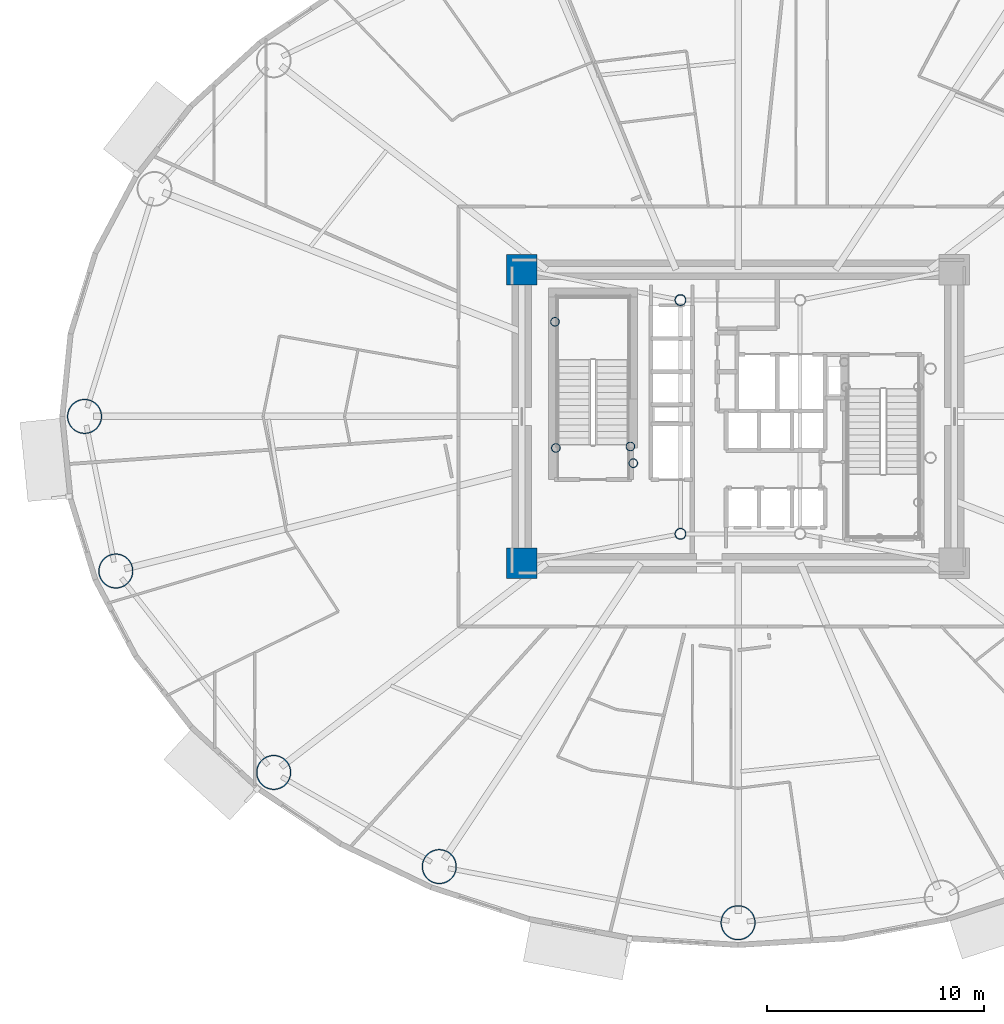
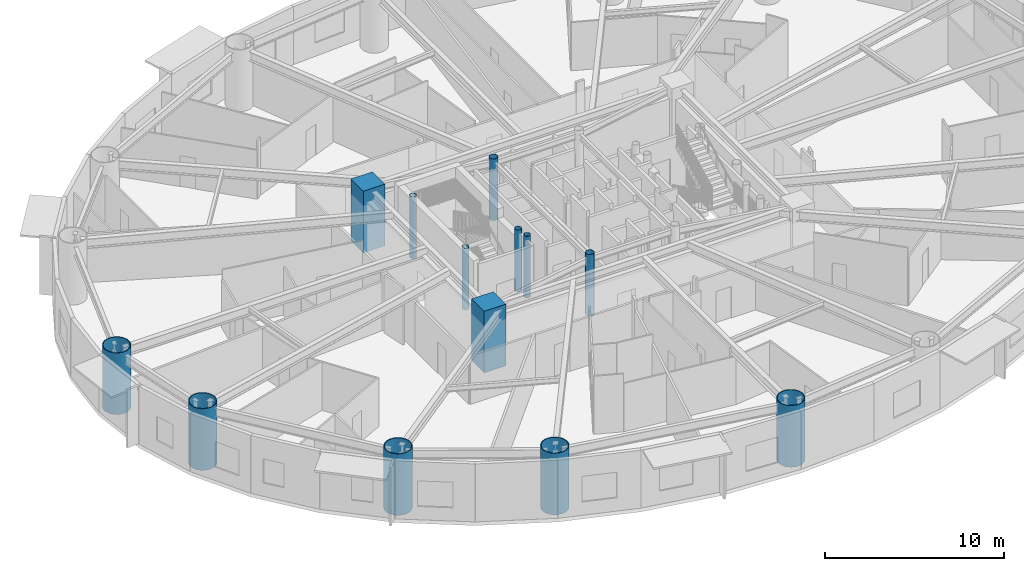
# One storey, part 1 of 20: 13 columns.
"""IFC4 building model written with IfcOpenShell, lengths in metres."""

from ifc_helpers import new_model, si_unit, direction, frame, origin, origin_2d, place, context, subcontext, project, spatial, rectangle, hollow_circle, extrude, material, material_profile, profile_set, type_object, element, save


model = new_model("IFC4")

# Units and contexts
model_context = context("Model", 3, precision=1e-05, world=origin(), true_north=direction((0.0, 1.0)))
body_context = subcontext(model_context, "Body", "Model", "MODEL_VIEW")
ifc_project = project(units=[si_unit("LENGTHUNIT", "METRE"), si_unit("AREAUNIT", "SQUARE_METRE"), si_unit("VOLUMEUNIT", "CUBIC_METRE"), si_unit("PLANEANGLEUNIT", "RADIAN"), si_unit("MASSUNIT", "GRAM", prefix="KILO")], contexts=[model_context])

# Site, building, storey
site_placement = place(None, origin())
site = spatial("IfcSite", under=ifc_project, at=site_placement, CompositionType="ELEMENT")
building_placement = place(site_placement, origin())
building = spatial("IfcBuilding", under=site, at=building_placement, Name="Linh Dai School and Residence Tower", CompositionType="ELEMENT")
storey_placement = place(building_placement, frame((0.0, 0.0, 66.0)))
storey = spatial("IfcBuildingStorey", under=building, at=storey_placement, Name="L15", CompositionType="ELEMENT", Elevation=66.0)

# Columns
ifc_material_1 = material(Name="Concrete B60 (C50/60)", Category="concrete")
ifc_material_profile_1 = material_profile(ifc_material_1, rectangle(XDim=1.39990234375, YDim=1.39990234375, at=origin_2d()), Name="RC 1400x1400")
ifc_profile_set_1 = profile_set([ifc_material_profile_1], Name="Concrete B60 (C50/60)")
column_type_1 = type_object("IfcColumnType", Name="COL-CC1", PredefinedType="COLUMN", material=ifc_profile_set_1)
for number, where, z_axis, x_axis, name in (
    (1, (26.050048828125, 20.25, 0.0), (0.0, 0.0, 1.0), (1.0, 0.0, 0.0), "L15 Core Corner Pier CC1"),
    (2, (26.050048828125, 33.75, 0.0), (0.0, 0.0, 1.0), (1.0, 0.0, 0.0), "L15 Core Corner Pier CC4"),
):
    element("IfcColumn", number, at=place(storey_placement, frame(where, z_axis=z_axis, x_axis=x_axis)), inside=storey, type_object=column_type_1, Name=name, PredefinedType="COLUMN", context=body_context, shape_type="SweptSolid", body=[
        extrude(rectangle(XDim=1.39990234375, YDim=1.39990234375, at=origin_2d()), origin(), (0.0, 0.0, 1.0), 4.199951171875),
    ])
ifc_material_2 = material(Name="Structural Steel S355JR", Category="steel")
ifc_material_profile_2 = material_profile(ifc_material_2, hollow_circle(Radius=0.203125, WallThickness=0.01611328125, at=origin_2d()), Name="CHS 406.4x16")
ifc_profile_set_2 = profile_set([ifc_material_profile_2], Name="Structural Steel S355JR")
column_type_2 = type_object("IfcColumnType", Name="COL-EC", PredefinedType="COLUMN", material=ifc_profile_set_2)
for number, where, z_axis, x_axis, name in (
    (3, (27.580078125, 31.35009765625, 0.0), (0.0, 0.0, 1.0), (1.0, 0.0, 0.0), "L15 Stair Shaft Landing Support Pier ST1NW"),
    (4, (31.050048828125, 25.6201171875, 0.0), (0.0, 0.0, 1.0), (1.0, 0.0, 0.0), "L15 Stair Shaft Landing Support Pier ST1SE"),
    (5, (31.179931640625, 24.85009765625, 0.0), (0.0, 0.0, 1.0), (1.0, 0.0, 0.0), "L15 Stair Shaft Landing Support Pier ST1SM"),
    (6, (27.6201171875, 25.550048828125, 0.0), (0.0, 0.0, 1.0), (1.0, 0.0, 0.0), "L15 Stair Shaft Landing Support Pier ST1SW"),
):
    element("IfcColumn", number, at=place(storey_placement, frame(where, z_axis=z_axis, x_axis=x_axis)), inside=storey, type_object=column_type_2, Name=name, PredefinedType="COLUMN", context=body_context, shape_type="SweptSolid", body=[
        extrude(hollow_circle(Radius=0.203125, WallThickness=0.01611328125, at=origin_2d()), origin(), (0.0, 0.0, 1.0), 4.199951171875),
    ])
ifc_material_profile_3 = material_profile(ifc_material_2, hollow_circle(Radius=0.800048828125, WallThickness=0.044921875, at=origin_2d()), Name="CHS 1600x45")
ifc_profile_set_3 = profile_set([ifc_material_profile_3], Name="Structural Steel S355JR")
column_type_3 = type_object("IfcColumnType", Name="COL-MC2", PredefinedType="COLUMN", material=ifc_profile_set_3)
for number, where, z_axis, x_axis, name in (
    (7, (5.949951171875, 27.0, 0.0), (0.0, 0.0, 1.0), (1.0, 0.0, 0.0), "L15 Perimeter CFT Mega-Column MC09"),
    (8, (7.38916015625, 19.891357421875, 0.0), (0.0, 0.0, 1.0), (1.0, 0.0, 0.0), "L15 Perimeter CFT Mega-Column MC10"),
    (9, (14.647216796875, 10.630859375, 0.0), (0.0, 0.0, 1.0), (1.0, 0.0, 0.0), "L15 Perimeter CFT Mega-Column MC11"),
    (10, (22.26171875, 6.30078125, 0.0), (0.0, 0.0, 1.0), (1.0, 0.0, 0.0), "L15 Perimeter CFT Mega-Column MC12"),
    (11, (36.0, 3.719970703125, 0.0), (0.0, 0.0, 1.0), (1.0, 0.0, 0.0), "L15 Perimeter CFT Mega-Column MC13"),
):
    element("IfcColumn", number, at=place(storey_placement, frame(where, z_axis=z_axis, x_axis=x_axis)), inside=storey, type_object=column_type_3, Name=name, PredefinedType="COLUMN", context=body_context, shape_type="SweptSolid", body=[
        extrude(hollow_circle(Radius=0.800048828125, WallThickness=0.044921875, at=origin_2d()), origin(), (0.0, 0.0, 1.0), 4.199951171875),
    ])
ifc_material_profile_4 = material_profile(ifc_material_2, hollow_circle(Radius=0.25390625, WallThickness=0.02001953125, at=origin_2d()), Name="CHS 508x20")
ifc_profile_set_4 = profile_set([ifc_material_profile_4], Name="Structural Steel S355JR")
column_type_4 = type_object("IfcColumnType", Name="COL-MCP", PredefinedType="COLUMN", material=ifc_profile_set_4)
for number, where, z_axis, x_axis, name in (
    (12, (33.35009765625, 21.60009765625, 0.0), (0.0, 0.0, 1.0), (1.0, 0.0, 0.0), "L15 Core Mast Support Pier MCP1"),
    (13, (33.35009765625, 32.35009765625, 0.0), (0.0, 0.0, 1.0), (1.0, 0.0, 0.0), "L15 Core Mast Support Pier MCP4"),
):
    element("IfcColumn", number, at=place(storey_placement, frame(where, z_axis=z_axis, x_axis=x_axis)), inside=storey, type_object=column_type_4, Name=name, PredefinedType="COLUMN", context=body_context, shape_type="SweptSolid", body=[
        extrude(hollow_circle(Radius=0.25390625, WallThickness=0.02001953125, at=origin_2d()), origin(), (0.0, 0.0, 1.0), 4.199951171875),
    ])

save(model, "model.ifc")
